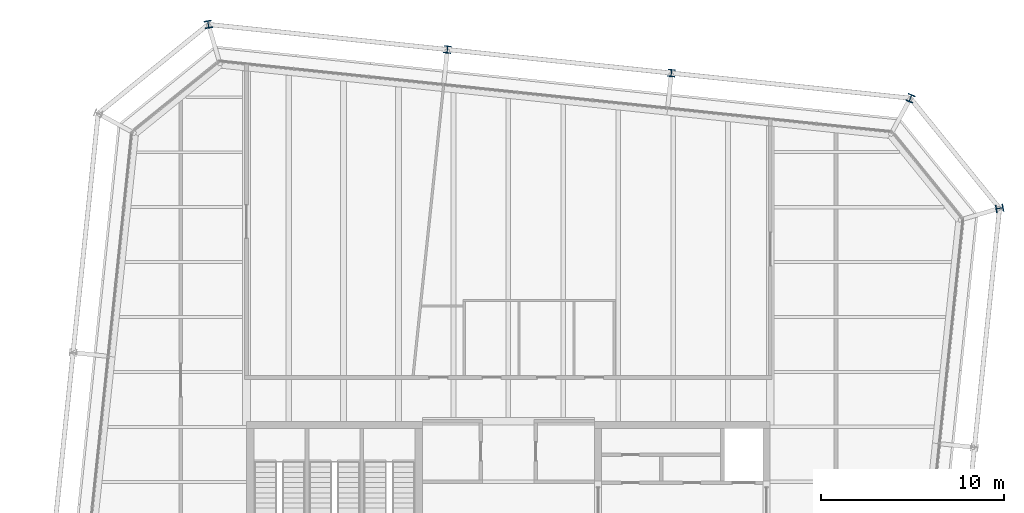
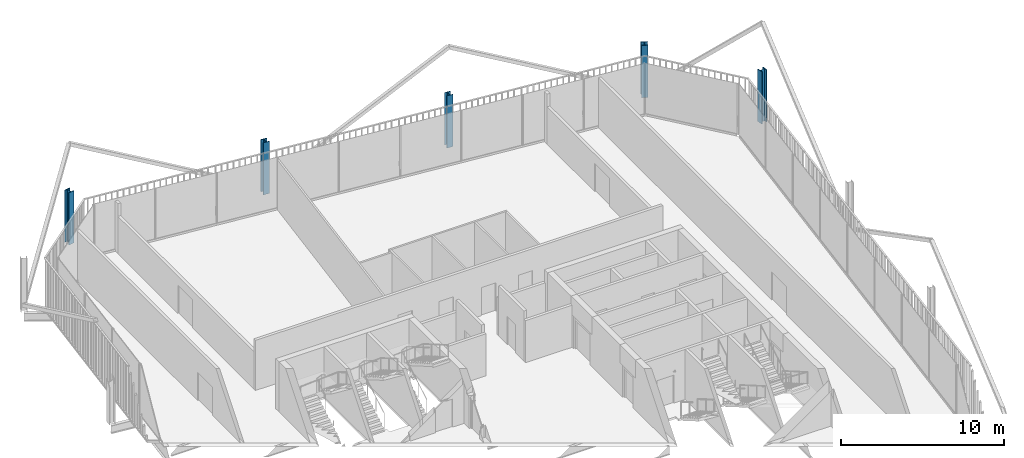
# One storey, part 2 of 21: 5 columns.
"""IFC4 building model written with IfcOpenShell, lengths in metres."""

from ifc_helpers import new_model, si_unit, direction, frame, origin, origin_2d, place, context, subcontext, project, spatial, i_section, extrude, material, material_profile, profile_set, type_object, element, save


model = new_model("IFC4")

# Units and contexts
model_context = context("Model", 3, precision=1e-05, world=origin(), true_north=direction((0.0, 1.0)))
body_context = subcontext(model_context, "Body", "Model", "MODEL_VIEW")
ifc_project = project(units=[si_unit("LENGTHUNIT", "METRE"), si_unit("AREAUNIT", "SQUARE_METRE"), si_unit("VOLUMEUNIT", "CUBIC_METRE"), si_unit("PLANEANGLEUNIT", "RADIAN"), si_unit("MASSUNIT", "GRAM", prefix="KILO")], contexts=[model_context])

# Site, building, storey
site_placement = place(None, origin())
site = spatial("IfcSite", under=ifc_project, at=site_placement, CompositionType="ELEMENT")
building_placement = place(site_placement, origin())
building = spatial("IfcBuilding", under=site, at=building_placement, Name="Millrace Tower", CompositionType="ELEMENT")
storey_placement = place(building_placement, frame((0.0, 0.0, 318.699951171875)))
storey = spatial("IfcBuildingStorey", under=building, at=storey_placement, Name="L73", CompositionType="ELEMENT", Elevation=318.699951171875)

# Columns
ifc_material_1 = material(Name="Steel ASTM A913 Grade 65", Category="steel")
ifc_material_profile_1 = material_profile(ifc_material_1, i_section(OverallWidth=0.4013671875, OverallDepth=0.398681640625, WebThickness=0.02490234375, FlangeThickness=0.03955078125, FilletRadius=0.01513671875, at=origin_2d()))
ifc_profile_set_1 = profile_set([ifc_material_profile_1], Name="Steel ASTM A913 Grade 65")
column_type_1 = type_object("IfcColumnType", Name="Exoskeleton column W14x211", PredefinedType="COLUMN", material=ifc_profile_set_1)
for number, where, z_axis, x_axis, name in (
    (1, (8.9033203125, 28.321533203125, 0.0), (0.0, 0.0, 1.0), (-0.994521897246, 0.104528445407, 0.0), "COL-E-L73-X11"),
    (2, (-3.329345703125, 29.607177734375, 0.0), (0.0, 0.0, 1.0), (-0.994521897246, 0.104528445407, 0.0), "COL-E-L73-X12"),
):
    element("IfcColumn", number, at=place(storey_placement, frame(where, z_axis=z_axis, x_axis=x_axis)), inside=storey, type_object=column_type_1, Name=name, PredefinedType="COLUMN", context=body_context, shape_type="SweptSolid", body=[
        extrude(i_section(OverallWidth=0.4013671875, OverallDepth=0.398681640625, WebThickness=0.02490234375, FlangeThickness=0.03955078125, FilletRadius=0.01513671875, at=origin_2d()), origin(), (0.0, 0.0, 1.0), 3.900146484375),
    ])
ifc_material_2 = material(Name="Steel ASTM A913 Grade 65", Category="steel")
ifc_material_profile_2 = material_profile(ifc_material_2, i_section(OverallWidth=0.406494140625, OverallDepth=0.41650390625, WebThickness=0.030029296875, FlangeThickness=0.048095703125, FilletRadius=0.01513671875, at=origin_2d()))
ifc_profile_set_2 = profile_set([ifc_material_profile_2], Name="Steel ASTM A913 Grade 65")
column_type_2 = type_object("IfcColumnType", Name="Exoskeleton column W14x257", PredefinedType="COLUMN", material=ifc_profile_set_2)
for number, where, z_axis, x_axis, name in (
    (3, (26.82958984375, 20.935791015625, 0.0), (0.0, 0.0, 1.0), (-0.18038747256, 0.983595628164, 0.0), "COL-E-L73-X09"),
    (4, (21.9599609375, 26.94921875, 0.0), (0.0, 0.0, 1.0), (-0.92459700658, 0.380946683176, 0.0), "COL-E-L73-X10"),
    (5, (-16.3857421875, 30.9794921875, 0.0), (0.0, 0.0, 1.0), (-0.983595628164, -0.18038747256, 0.0), "COL-E-L73-X13"),
):
    element("IfcColumn", number, at=place(storey_placement, frame(where, z_axis=z_axis, x_axis=x_axis)), inside=storey, type_object=column_type_2, Name=name, PredefinedType="COLUMN", context=body_context, shape_type="SweptSolid", body=[
        extrude(i_section(OverallWidth=0.406494140625, OverallDepth=0.41650390625, WebThickness=0.030029296875, FlangeThickness=0.048095703125, FilletRadius=0.01513671875, at=origin_2d()), origin(), (0.0, 0.0, 1.0), 3.900146484375),
    ])

save(model, "model.ifc")
